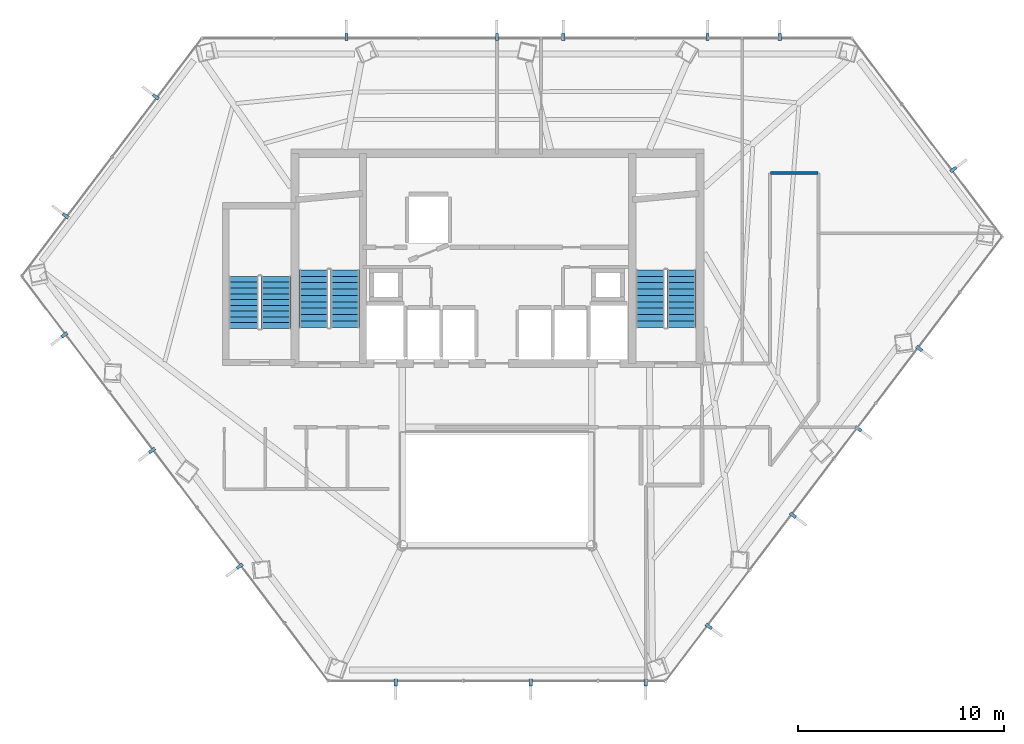
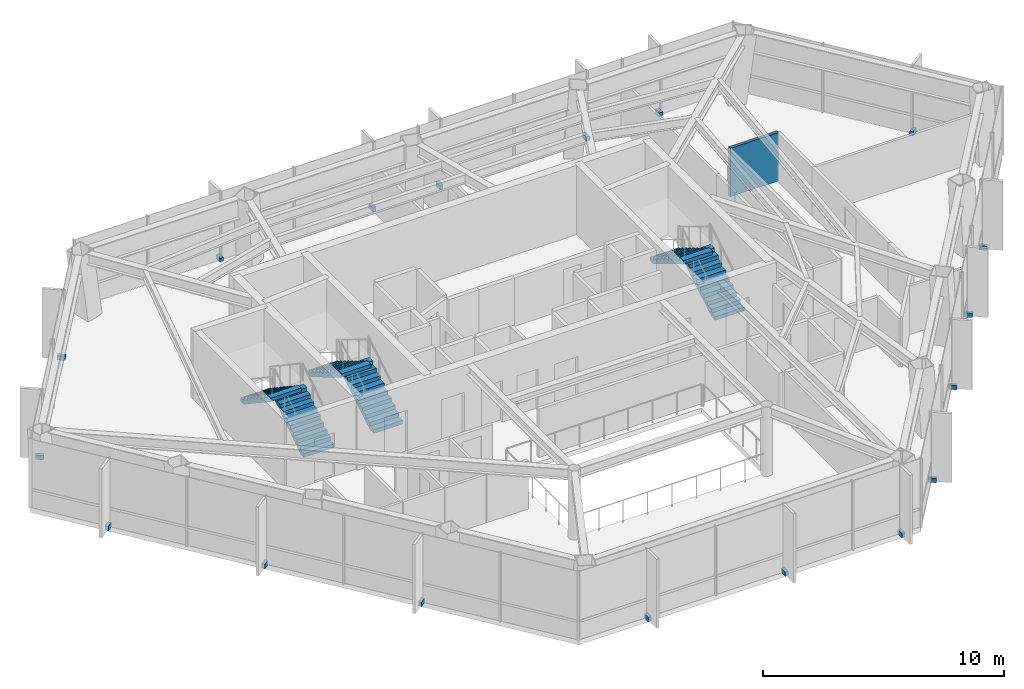
# One storey, part 27 of 28: 18 discrete accessories, 6 stair flights, 1 wall, 3 elements without a shape of their own.
"""IFC4 building model written with IfcOpenShell, lengths in metres."""

from ifc_helpers import new_model, si_unit, direction, frame, frame_2d, origin, origin_2d, place, context, subcontext, project, spatial, polyline, rectangle, outline, extrude, material, layer, layer_set, type_object, element, aggregate, save


model = new_model("IFC4")

# Units and contexts
model_context = context("Model", 3, precision=1e-05, world=origin(), true_north=direction((0.0, 1.0)))
body_context = subcontext(model_context, "Body", "Model", "MODEL_VIEW")
ifc_project = project(units=[si_unit("LENGTHUNIT", "METRE"), si_unit("AREAUNIT", "SQUARE_METRE"), si_unit("VOLUMEUNIT", "CUBIC_METRE"), si_unit("PLANEANGLEUNIT", "RADIAN"), si_unit("MASSUNIT", "GRAM", prefix="KILO")], contexts=[model_context])

# Site, building, storey
site_placement = place(None, origin())
site = spatial("IfcSite", under=ifc_project, at=site_placement, CompositionType="ELEMENT")
building_placement = place(site_placement, origin())
building = spatial("IfcBuilding", under=site, at=building_placement, Name="Zarrinselat Tower", CompositionType="ELEMENT")
storey_placement = place(building_placement, frame((0.0, 0.0, 153.340087890625)))
storey = spatial("IfcBuildingStorey", under=building, at=storey_placement, Name="L37", CompositionType="ELEMENT", Elevation=153.340087890625)

# Wall
ifc_material_1 = material(Name="Fire-Rated Gypsum Board Partition", Category="gypsum")
ifc_layer = layer(ifc_material_1, 0.14990234375)
ifc_layer_set = layer_set([ifc_layer], Name="Fire-Rated Gypsum Board Partition")
wall_type = type_object("IfcWallType", Name="WAL-PART-EI60", PredefinedType="PARTITIONING", material=ifc_layer_set)
wall_placement = place(storey_placement, frame((51.669921875, 42.5, 0.0), z_axis=(0.0, 0.0, 1.0), x_axis=(1.0, 0.0, 0.0)))
element("IfcWall", 1, at=wall_placement, inside=storey, type_object=wall_type, Name="L37 Partition Wall 26", PredefinedType="PARTITIONING", context=body_context, shape_type="SweptSolid", body=[
    extrude(rectangle(XDim=2.31005859375, YDim=0.14990234375, at=frame_2d((1.155029296875, 0.0))), origin(), (0.0, 0.0, 1.0), 2.447021484375),
])

# Stair, stair flights
ifc_material_2 = material(Name="Concrete C40/50", Category="concrete")
stair_type_1 = type_object("IfcStairType", Name="STR-CORE-145", PredefinedType="HALF_TURN_STAIR", material=ifc_material_2)
stair_1_placement = place(storey_placement, origin())
stair_1 = element("IfcStair", 2, at=stair_1_placement, inside=storey, type_object=stair_type_1, Name="L37 Podium & Mid-Tower Exit Stair 3", PredefinedType="HALF_TURN_STAIR")
ifc_material_3 = material(Name="Concrete C40/50", Category="concrete")
stair_flight_type_1 = type_object("IfcStairFlightType", Name="STR-FLT-145", PredefinedType="STRAIGHT", material=ifc_material_3)
stair_flight_1_placement = place(storey_placement, frame((27.675048828125, 34.949951171875, 0.0), z_axis=(0.0, 0.0, 1.0), x_axis=(0.0, 1.0, 0.0)))
stair_flight_1 = element("IfcStairFlight", 3, at=stair_flight_1_placement, type_object=stair_flight_type_1, Name="ST-3 flight 1", NumberOfRisers=10, NumberOfTreads=9, PredefinedType="STRAIGHT", RiserHeight=0.187, TreadLength=0.28, context=body_context, shape_type="SweptSolid", body=[
    extrude(outline(polyline([(0.0, 0.0), (0.0, 0.18701171875), (0.280029296875, 0.18701171875), (0.280029296875, 0.3740234375), (0.56005859375, 0.3740234375), (0.56005859375, 0.56103515625), (0.840087890625, 0.56103515625), (0.840087890625, 0.748046875), (1.1201171875, 0.748046875), (1.1201171875, 0.93505859375), (1.39990234375, 0.93505859375), (1.39990234375, 1.1220703125), (1.679931640625, 1.1220703125), (1.679931640625, 1.30908203125), (1.9599609375, 1.30908203125), (1.9599609375, 1.49609375), (2.239990234375, 1.49609375), (2.239990234375, 1.68310546875), (2.52001953125, 1.68310546875), (2.52001953125, 1.8701171875), (2.52001953125, 1.502685546875), (0.27001953125, 0.0), (0.0, 0.0)])), frame((0.0, 0.72509765625, 0.0), z_axis=(0.0, -1.0, 0.0), x_axis=(1.0, 0.0, 0.0)), (0.0, 0.0, 1.0), 1.449951171875),
])
stair_flight_2_placement = place(storey_placement, frame((26.10498046875, 37.469970703125, 1.869873046875), z_axis=(0.0, 0.0, 1.0), x_axis=(0.0, -1.0, 0.0)))
stair_flight_2 = element("IfcStairFlight", 4, at=stair_flight_2_placement, type_object=stair_flight_type_1, Name="ST-3 flight 2", NumberOfRisers=10, NumberOfTreads=9, PredefinedType="STRAIGHT", RiserHeight=0.187, TreadLength=0.28, context=body_context, shape_type="SweptSolid", body=[
    extrude(outline(polyline([(0.0, 0.0), (0.0, 0.18701171875), (0.280029296875, 0.18701171875), (0.280029296875, 0.3740234375), (0.56005859375, 0.3740234375), (0.56005859375, 0.56103515625), (0.840087890625, 0.56103515625), (0.840087890625, 0.748046875), (1.1201171875, 0.748046875), (1.1201171875, 0.93505859375), (1.39990234375, 0.93505859375), (1.39990234375, 1.1220703125), (1.679931640625, 1.1220703125), (1.679931640625, 1.30908203125), (1.9599609375, 1.30908203125), (1.9599609375, 1.49609375), (2.239990234375, 1.49609375), (2.239990234375, 1.68310546875), (2.52001953125, 1.68310546875), (2.52001953125, 1.8701171875), (2.52001953125, 1.502685546875), (0.27001953125, 0.0), (0.0, 0.0)])), frame((0.0, 0.72509765625, 0.0), z_axis=(0.0, -1.0, 0.0), x_axis=(1.0, 0.0, 0.0)), (0.0, 0.0, 1.0), 1.449951171875),
])
aggregate(stair_1, [stair_flight_1, stair_flight_2])

ifc_material_4 = material(Name="Concrete C40/50", Category="concrete")
stair_type_2 = type_object("IfcStairType", Name="STR-CORE-155", PredefinedType="HALF_TURN_STAIR", material=ifc_material_4)
stair_2_placement = place(storey_placement, origin())
stair_2 = element("IfcStair", 5, at=stair_2_placement, inside=storey, type_object=stair_type_2, Name="L37 Core Exit Stair 1", PredefinedType="HALF_TURN_STAIR")
ifc_material_5 = material(Name="Concrete C40/50", Category="concrete")
stair_flight_type_2 = type_object("IfcStairFlightType", Name="STR-FLT-155", PredefinedType="STRAIGHT", material=ifc_material_5)
stair_flight_3_placement = place(storey_placement, frame((31.02001953125, 35.0, 0.0), z_axis=(0.0, 0.0, 1.0), x_axis=(0.0, 1.0, 0.0)))
stair_flight_3 = element("IfcStairFlight", 6, at=stair_flight_3_placement, type_object=stair_flight_type_2, Name="ST-1 flight 1", NumberOfRisers=10, NumberOfTreads=9, PredefinedType="STRAIGHT", RiserHeight=0.187, TreadLength=0.31, context=body_context, shape_type="SweptSolid", body=[
    extrude(outline(polyline([(0.0, 0.0), (0.0, 0.18701171875), (0.31005859375, 0.18701171875), (0.31005859375, 0.3740234375), (0.6201171875, 0.3740234375), (0.6201171875, 0.56103515625), (0.929931640625, 0.56103515625), (0.929931640625, 0.748046875), (1.239990234375, 0.748046875), (1.239990234375, 0.93505859375), (1.550048828125, 0.93505859375), (1.550048828125, 1.1220703125), (1.860107421875, 1.1220703125), (1.860107421875, 1.30908203125), (2.169921875, 1.30908203125), (2.169921875, 1.49609375), (2.47998046875, 1.49609375), (2.47998046875, 1.68310546875), (2.7900390625, 1.68310546875), (2.7900390625, 1.8701171875), (2.7900390625, 1.508056640625), (0.290283203125, 0.0), (0.0, 0.0)])), frame((0.0, 0.699951171875, 0.0), z_axis=(0.0, -1.0, 0.0), x_axis=(1.0, 0.0, 0.0)), (0.0, 0.0, 1.0), 1.39990234375),
])
stair_flight_4_placement = place(storey_placement, frame((29.5, 37.7900390625, 1.869873046875), z_axis=(0.0, 0.0, 1.0), x_axis=(0.0, -1.0, 0.0)))
stair_flight_4 = element("IfcStairFlight", 7, at=stair_flight_4_placement, type_object=stair_flight_type_2, Name="ST-1 flight 2", NumberOfRisers=10, NumberOfTreads=9, PredefinedType="STRAIGHT", RiserHeight=0.187, TreadLength=0.31, context=body_context, shape_type="SweptSolid", body=[
    extrude(outline(polyline([(0.0, 0.0), (0.0, 0.18701171875), (0.31005859375, 0.18701171875), (0.31005859375, 0.3740234375), (0.6201171875, 0.3740234375), (0.6201171875, 0.56103515625), (0.929931640625, 0.56103515625), (0.929931640625, 0.748046875), (1.239990234375, 0.748046875), (1.239990234375, 0.93505859375), (1.550048828125, 0.93505859375), (1.550048828125, 1.1220703125), (1.860107421875, 1.1220703125), (1.860107421875, 1.30908203125), (2.169921875, 1.30908203125), (2.169921875, 1.49609375), (2.47998046875, 1.49609375), (2.47998046875, 1.68310546875), (2.7900390625, 1.68310546875), (2.7900390625, 1.8701171875), (2.7900390625, 1.508056640625), (0.290283203125, 0.0), (0.0, 0.0)])), frame((0.0, 0.699951171875, 0.0), z_axis=(0.0, -1.0, 0.0), x_axis=(1.0, 0.0, 0.0)), (0.0, 0.0, 1.0), 1.39990234375),
])
aggregate(stair_2, [stair_flight_3, stair_flight_4])

stair_3_placement = place(storey_placement, origin())
stair_3 = element("IfcStair", 8, at=stair_3_placement, inside=storey, type_object=stair_type_2, Name="L37 Core Exit Stair 2", PredefinedType="HALF_TURN_STAIR")
stair_flight_5_placement = place(storey_placement, frame((47.360107421875, 35.0, 0.0), z_axis=(0.0, 0.0, 1.0), x_axis=(0.0, 1.0, 0.0)))
stair_flight_5 = element("IfcStairFlight", 9, at=stair_flight_5_placement, type_object=stair_flight_type_2, Name="ST-2 flight 1", NumberOfRisers=10, NumberOfTreads=9, PredefinedType="STRAIGHT", RiserHeight=0.187, TreadLength=0.31, context=body_context, shape_type="SweptSolid", body=[
    extrude(outline(polyline([(0.0, 0.0), (0.0, 0.18701171875), (0.31005859375, 0.18701171875), (0.31005859375, 0.3740234375), (0.6201171875, 0.3740234375), (0.6201171875, 0.56103515625), (0.929931640625, 0.56103515625), (0.929931640625, 0.748046875), (1.239990234375, 0.748046875), (1.239990234375, 0.93505859375), (1.550048828125, 0.93505859375), (1.550048828125, 1.1220703125), (1.860107421875, 1.1220703125), (1.860107421875, 1.30908203125), (2.169921875, 1.30908203125), (2.169921875, 1.49609375), (2.47998046875, 1.49609375), (2.47998046875, 1.68310546875), (2.7900390625, 1.68310546875), (2.7900390625, 1.8701171875), (2.7900390625, 1.508056640625), (0.290283203125, 0.0), (0.0, 0.0)])), frame((0.0, 0.699951171875, 0.0), z_axis=(0.0, -1.0, 0.0), x_axis=(1.0, 0.0, 0.0)), (0.0, 0.0, 1.0), 1.39990234375),
])
stair_flight_6_placement = place(storey_placement, frame((45.840087890625, 37.7900390625, 1.869873046875), z_axis=(0.0, 0.0, 1.0), x_axis=(0.0, -1.0, 0.0)))
stair_flight_6 = element("IfcStairFlight", 10, at=stair_flight_6_placement, type_object=stair_flight_type_2, Name="ST-2 flight 2", NumberOfRisers=10, NumberOfTreads=9, PredefinedType="STRAIGHT", RiserHeight=0.187, TreadLength=0.31, context=body_context, shape_type="SweptSolid", body=[
    extrude(outline(polyline([(0.0, 0.0), (0.0, 0.18701171875), (0.31005859375, 0.18701171875), (0.31005859375, 0.3740234375), (0.6201171875, 0.3740234375), (0.6201171875, 0.56103515625), (0.929931640625, 0.56103515625), (0.929931640625, 0.748046875), (1.239990234375, 0.748046875), (1.239990234375, 0.93505859375), (1.550048828125, 0.93505859375), (1.550048828125, 1.1220703125), (1.860107421875, 1.1220703125), (1.860107421875, 1.30908203125), (2.169921875, 1.30908203125), (2.169921875, 1.49609375), (2.47998046875, 1.49609375), (2.47998046875, 1.68310546875), (2.7900390625, 1.68310546875), (2.7900390625, 1.8701171875), (2.7900390625, 1.508056640625), (0.290283203125, 0.0), (0.0, 0.0)])), frame((0.0, 0.699951171875, 0.0), z_axis=(0.0, -1.0, 0.0), x_axis=(1.0, 0.0, 0.0)), (0.0, 0.0, 1.0), 1.39990234375),
])
aggregate(stair_3, [stair_flight_5, stair_flight_6])

# Discrete accessories
ifc_material_6 = material(Name="Steel S355J2", Category="steel")
discrete_accessory_type = type_object("IfcDiscreteAccessoryType", Name="ACC-FIN-BRACKET", PredefinedType="BRACKET", material=ifc_material_6)
for number, where, z_axis, x_axis, name in (
    (11, (52.126953125, 49.103271484375, -0.05029296875), (0.0, 0.0, 1.0), (0.0, 1.0, 0.0), "L37 Fin Fixing Bracket CW-L37-E01-01"),
    (12, (48.621337890625, 49.103271484375, -0.05029296875), (0.0, 0.0, 1.0), (0.0, 1.0, 0.0), "L37 Fin Fixing Bracket CW-L37-E01-03"),
    (13, (41.610107421875, 49.103271484375, -0.05029296875), (0.0, 0.0, 1.0), (0.0, 1.0, 0.0), "L37 Fin Fixing Bracket CW-L37-E01-05"),
    (14, (38.39990234375, 49.103271484375, -0.05029296875), (0.0, 0.0, 1.0), (0.0, 1.0, 0.0), "L37 Fin Fixing Bracket CW-L37-E01-07"),
    (15, (31.093017578125, 49.103271484375, -0.05029296875), (0.0, 0.0, 1.0), (0.0, 1.0, 0.0), "L37 Fin Fixing Bracket CW-L37-E01-09"),
    (16, (21.83837890625, 46.18798828125, -0.05029296875), (0.0, 0.0, 1.0), (-0.797092148154, 0.603857687995, 0.0), "L37 Fin Fixing Bracket CW-L37-E02-01"),
    (17, (17.46337890625, 40.4130859375, -0.05029296875), (0.0, 0.0, 1.0), (-0.797092148154, 0.603857687995, 0.0), "L37 Fin Fixing Bracket CW-L37-E02-03"),
    (18, (17.40283203125, 34.633544921875, -0.05029296875), (0.0, 0.0, 1.0), (-0.7970926806, -0.603856985167, 0.0), "L37 Fin Fixing Bracket CW-L37-E03-01"),
    (19, (21.656494140625, 29.018798828125, -0.05029296875), (0.0, 0.0, 1.0), (-0.7970926806, -0.603856985167, 0.0), "L37 Fin Fixing Bracket CW-L37-E03-03"),
    (20, (25.91015625, 23.404052734375, -0.05029296875), (0.0, 0.0, 1.0), (-0.7970926806, -0.603856985167, 0.0), "L37 Fin Fixing Bracket CW-L37-E03-05"),
    (21, (33.49169921875, 17.761474609375, -0.05029296875), (0.0, 0.0, 1.0), (0.0, -1.0, 0.0), "L37 Fin Fixing Bracket CW-L37-E04-01"),
    (22, (40.0361328125, 17.761474609375, -0.05029296875), (0.0, 0.0, 1.0), (0.0, -1.0, 0.0), "L37 Fin Fixing Bracket CW-L37-E04-03"),
    (23, (45.61865234375, 17.761474609375, -0.05029296875), (0.0, 0.0, 1.0), (0.0, -1.0, 0.0), "L37 Fin Fixing Bracket CW-L37-E04-05"),
    (24, (48.679443359375, 20.486083984375, -0.05029296875), (0.0, 0.0, 1.0), (0.797092148154, -0.603857687995, 0.0), "L37 Fin Fixing Bracket CW-L37-E05-01"),
    (25, (52.765625, 25.8798828125, -0.05029296875), (0.0, 0.0, 1.0), (0.797092148154, -0.603857687995, 0.0), "L37 Fin Fixing Bracket CW-L37-E05-03"),
    (26, (55.94091796875, 30.071533203125, -0.05029296875), (0.0, 0.0, 1.0), (0.797092148154, -0.603857687995, 0.0), "L37 Fin Fixing Bracket CW-L37-E05-05"),
    (27, (58.89501953125, 33.970703125, -0.05029296875), (0.0, 0.0, 1.0), (0.797092148154, -0.603857687995, 0.0), "L37 Fin Fixing Bracket CW-L37-E05-07"),
    (28, (60.55029296875, 42.657958984375, -0.05029296875), (0.0, 0.0, 1.0), (0.797089249573, 0.603861514104, 0.0), "L37 Fin Fixing Bracket CW-L37-E06-01"),
):
    element("IfcDiscreteAccessory", number, at=place(storey_placement, frame(where, z_axis=z_axis, x_axis=x_axis)), inside=storey, type_object=discrete_accessory_type, Name=name, PredefinedType="BRACKET", context=body_context, shape_type="SweptSolid", body=[
        extrude(rectangle(XDim=0.340087890625, YDim=0.159912109375, at=origin_2d()), origin(), (0.0, 0.0, 1.0), 0.219970703125),
    ])

save(model, "model.ifc")
